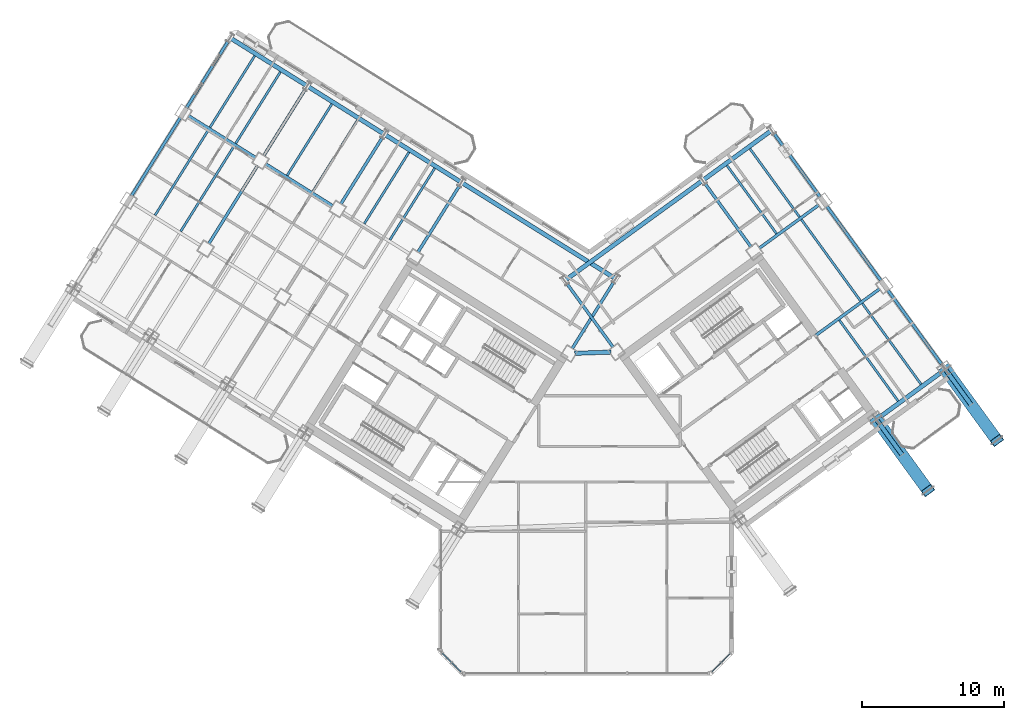
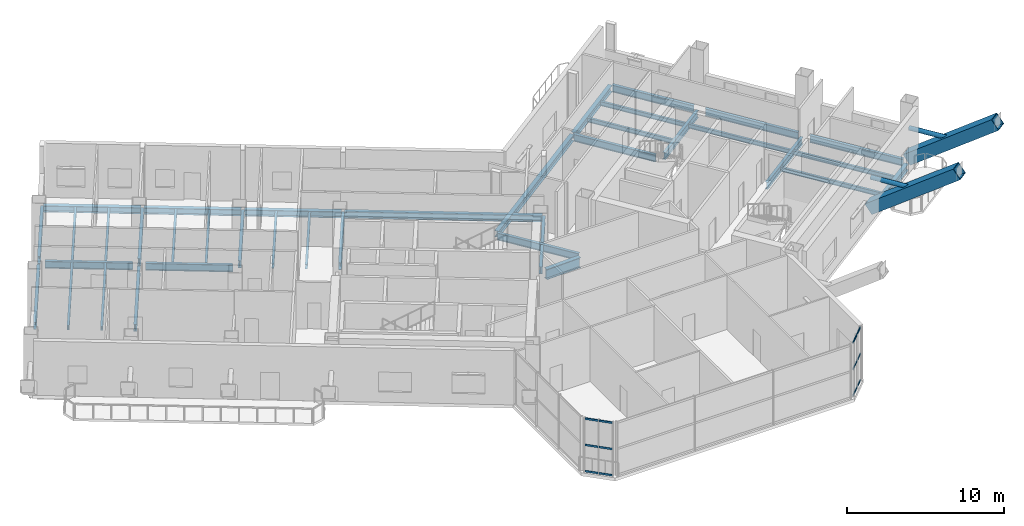
# One storey, part 11 of 32: 37 beams, 16 members, 2 elements without a shape of their own.
"""IFC4 building model written with IfcOpenShell, lengths in metres."""

from ifc_helpers import new_model, si_unit, direction, frame, origin, origin_2d, place, context, subcontext, project, spatial, hollow_rectangle, hollow_circle, i_section, extrude, source, transform, mapped, material, material_profile, profile_set, type_object, element, aggregate, save


model = new_model("IFC4")

# Units and contexts
model_context = context("Model", 3, precision=1e-05, world=origin(), true_north=direction((0.0, 1.0)))
body_context = subcontext(model_context, "Body", "Model", "MODEL_VIEW")
ifc_project = project(units=[si_unit("LENGTHUNIT", "METRE"), si_unit("AREAUNIT", "SQUARE_METRE"), si_unit("VOLUMEUNIT", "CUBIC_METRE"), si_unit("PLANEANGLEUNIT", "RADIAN"), si_unit("MASSUNIT", "GRAM", prefix="KILO")], contexts=[model_context])

# Site, building, storey
site_placement = place(None, origin())
site = spatial("IfcSite", under=ifc_project, at=site_placement, CompositionType="ELEMENT")
building_placement = place(site_placement, origin())
building = spatial("IfcBuilding", under=site, at=building_placement, Name="Tlacorven Tower", CompositionType="ELEMENT")
storey_placement = place(building_placement, frame((0.0, 0.0, 123.300048828125)))
storey = spatial("IfcBuildingStorey", under=building, at=storey_placement, Name="L31", CompositionType="ELEMENT", Elevation=123.300048828125)

# Beams
ifc_material_1 = material(Name="Steel S355J2", Category="steel")
ifc_material_profile_1 = material_profile(ifc_material_1, i_section(OverallWidth=0.300048828125, OverallDepth=0.489990234375, WebThickness=0.011962890625, FlangeThickness=0.02294921875, at=origin_2d()), Name="HEA 500")
ifc_profile_set_1 = profile_set([ifc_material_profile_1], Name="Steel S355J2")
beam_type_1 = type_object("IfcBeamType", Name="BM-SPN-500", PredefinedType="SPANDREL", material=ifc_profile_set_1)
shared_shape_1 = source(origin(), body_context, "Body", "SweptSolid", [
    extrude(i_section(OverallWidth=0.300048828125, OverallDepth=0.489990234375, WebThickness=0.011962890625, FlangeThickness=0.02294921875, at=origin_2d()), origin(), (0.0, 0.0, 1.0), 12.599853515625),
])
beam_1_placement = place(storey_placement, frame((43.983642578125, 29.779296875, -0.4951171875), z_axis=(-0.848045108756, 0.529924045043, 0.0), x_axis=(-0.529924045043, -0.848045108756, 0.0)))
element("IfcBeam", 1, at=beam_1_placement, inside=storey, type_object=beam_type_1, Name="L31 beam BM-L31-WL1-1", PredefinedType="SPANDREL", context=body_context, shape_type="MappedRepresentation", body=[
    mapped(shared_shape_1, transform((0.0, 0.0, 0.0), scale=1.0)),
])
shared_shape_2 = source(origin(), body_context, "Body", "SweptSolid", [
    extrude(i_section(OverallWidth=0.300048828125, OverallDepth=0.489990234375, WebThickness=0.011962890625, FlangeThickness=0.02294921875, at=origin_2d()), origin(), (0.0, 0.0, 1.0), 6.199951171875),
])
beam_2_placement = place(storey_placement, frame((33.128662109375, 36.562255859375, -0.4951171875), z_axis=(-0.848051394107, 0.529913986372, 0.0), x_axis=(-0.529913986372, -0.848051394107, 0.0)))
element("IfcBeam", 2, at=beam_2_placement, inside=storey, type_object=beam_type_1, Name="L31 beam BM-L31-WL1-3", PredefinedType="SPANDREL", context=body_context, shape_type="MappedRepresentation", body=[
    mapped(shared_shape_2, transform((0.0, 0.0, 0.0), scale=1.0)),
])
shared_shape_3 = source(origin(), body_context, "Body", "SweptSolid", [
    extrude(i_section(OverallWidth=0.300048828125, OverallDepth=0.489990234375, WebThickness=0.011962890625, FlangeThickness=0.02294921875, at=origin_2d()), origin(), (0.0, 0.0, 1.0), 11.800048828125),
])
beam_3_placement = place(storey_placement, frame((40.560302734375, 29.65966796875, -0.4951171875), z_axis=(0.80900977213, 0.587795192732, 0.0), x_axis=(-0.587795192732, 0.80900977213, 0.0)))
element("IfcBeam", 3, at=beam_3_placement, inside=storey, type_object=beam_type_1, Name="L31 beam BM-L31-EL4-1", PredefinedType="SPANDREL", context=body_context, shape_type="MappedRepresentation", body=[
    mapped(shared_shape_3, transform((0.0, 0.0, 0.0), scale=1.0)),
])
shared_shape_4 = source(origin(), body_context, "Body", "SweptSolid", [
    extrude(i_section(OverallWidth=0.300048828125, OverallDepth=0.489990234375, WebThickness=0.011962890625, FlangeThickness=0.02294921875, at=origin_2d()), origin(), (0.0, 0.0, 1.0), 5.800048828125),
])
beam_4_placement = place(storey_placement, frame((50.2685546875, 36.713134765625, -0.4951171875), z_axis=(0.809019944521, 0.587781191743, 0.0), x_axis=(-0.587781191743, 0.809019944521, 0.0)))
element("IfcBeam", 4, at=beam_4_placement, inside=storey, type_object=beam_type_1, Name="L31 beam BM-L31-EL4-3", PredefinedType="SPANDREL", context=body_context, shape_type="MappedRepresentation", body=[
    mapped(shared_shape_4, transform((0.0, 0.0, 0.0), scale=1.0)),
])

# Members
ifc_material_2 = material(Name="Steel S460M", Category="steel")
ifc_material_profile_2 = material_profile(ifc_material_2, hollow_rectangle(XDim=0.85009765625, YDim=0.85009765625, WallThickness=0.0400390625, at=origin_2d()), Name="BOX 850X850X40")
ifc_profile_set_2 = profile_set([ifc_material_profile_2], Name="Steel S460M")
member_type_1 = type_object("IfcMemberType", Name="MB-RAK-EXT", PredefinedType="STRUT", material=ifc_profile_set_2)
shared_shape_5 = source(origin(), body_context, "Body", "SweptSolid", [
    extrude(hollow_rectangle(XDim=0.85009765625, YDim=0.85009765625, WallThickness=0.0400390625, at=origin_2d()), origin(), (0.0, 0.0, 1.0), 7.62109375),
])
member_1_placement = place(storey_placement, frame((62.423095703125, 19.813720703125, 0.01171875), z_axis=(0.475691676108, -0.654736782025, 0.587398651297), x_axis=(0.809018428472, 0.587783278422, 0.0)))
element("IfcMember", 5, at=member_1_placement, inside=storey, type_object=member_type_1, Name="L31 Block-Shift Raking Transfer Strut E3", PredefinedType="STRUT", context=body_context, shape_type="MappedRepresentation", body=[
    mapped(shared_shape_5, transform((0.0, 0.0, 0.0), scale=1.0)),
])
ifc_material_profile_3 = material_profile(ifc_material_2, hollow_circle(Radius=0.161865234375, WallThickness=0.01611328125, at=origin_2d()), Name="CHS 323.9X16")
ifc_profile_set_3 = profile_set([ifc_material_profile_3], Name="Steel S460M")
member_type_2 = type_object("IfcMemberType", Name="MB-SHF-BRC", PredefinedType="BRACE", material=ifc_profile_set_3)
shared_shape_6 = source(origin(), body_context, "Body", "SweptSolid", [
    extrude(hollow_circle(Radius=0.161865234375, WallThickness=0.01611328125, at=origin_2d()), origin(), (0.0, 0.0, 1.0), 3.06005859375),
])
for number, where, z_axis, x_axis, name in (
    (6, (62.42529296875, 19.810546875, 2.25), (0.587777877013, -0.809022352778, 0.0), (0.809022352778, 0.587777877013, 0.0), "L31 Raking Strut Stabilising Web Brace E3"),
    (7, (67.279541015625, 23.33740234375, 2.25), (0.587777877013, -0.809022352778, 0.0), (0.809022352778, 0.587777877013, 0.0), "L31 Raking Strut Stabilising Web Brace E4"),
):
    element("IfcMember", number, at=place(storey_placement, frame(where, z_axis=z_axis, x_axis=x_axis)), inside=storey, type_object=member_type_2, Name=name, PredefinedType="BRACE", context=body_context, shape_type="MappedRepresentation", body=[
        mapped(shared_shape_6, transform((0.0, 0.0, 0.0), scale=1.0)),
    ])

# Beams
shared_shape_7 = source(origin(), body_context, "Body", "SweptSolid", [
    extrude(i_section(OverallWidth=0.300048828125, OverallDepth=0.489990234375, WebThickness=0.011962890625, FlangeThickness=0.02294921875, at=origin_2d()), origin(), (0.0, 0.0, 1.0), 6.2001953125),
])
for number, where, z_axis, x_axis, name in (
    (8, (27.701171875, 39.95361328125, -0.4951171875), (-0.84804475579, 0.5299246099, 0.0), (-0.5299246099, -0.84804475579, 0.0), "L31 beam BM-L31-WL1-4"),
    (9, (22.273681640625, 43.34521484375, -0.4951171875), (-0.848062451332, 0.529896290457, 0.0), (-0.529896290457, -0.848062451332, 0.0), "L31 beam BM-L31-WL1-5"),
):
    element("IfcBeam", number, at=place(storey_placement, frame(where, z_axis=z_axis, x_axis=x_axis)), inside=storey, type_object=beam_type_1, Name=name, PredefinedType="SPANDREL", context=body_context, shape_type="MappedRepresentation", body=[
        mapped(shared_shape_7, transform((0.0, 0.0, 0.0), scale=1.0)),
    ])
ifc_material_profile_4 = material_profile(ifc_material_1, i_section(OverallWidth=0.2099609375, OverallDepth=0.550048828125, WebThickness=0.010986328125, FlangeThickness=0.01708984375, at=origin_2d()), Name="IPE 550")
ifc_profile_set_4 = profile_set([ifc_material_profile_4], Name="Steel S355J2")
beam_type_2 = type_object("IfcBeamType", Name="BM-TWR-550", PredefinedType="BEAM", material=ifc_profile_set_4)
shared_shape_8 = source(origin(), body_context, "Body", "SweptSolid", [
    extrude(i_section(OverallWidth=0.2099609375, OverallDepth=0.550048828125, WebThickness=0.010986328125, FlangeThickness=0.01708984375, at=origin_2d()), origin(), (0.0, 0.0, 1.0), 5.599853515625),
])
for number, where, z_axis, x_axis, name in (
    (10, (24.1611328125, 34.854736328125, -0.525146484375), (-0.848047285686, 0.529920561254, 0.0), (-0.529920561254, -0.848047285686, 0.0), "L31 beam BM-L31-WL2-4"),
    (11, (18.733642578125, 38.246337890625, -0.525146484375), (-0.848047285686, 0.529920561254, 0.0), (-0.529920561254, -0.848047285686, 0.0), "L31 beam BM-L31-WL2-5"),
):
    element("IfcBeam", number, at=place(storey_placement, frame(where, z_axis=z_axis, x_axis=x_axis)), inside=storey, type_object=beam_type_2, Name=name, PredefinedType="BEAM", context=body_context, shape_type="MappedRepresentation", body=[
        mapped(shared_shape_8, transform((0.0, 0.0, 0.0), scale=1.0)),
    ])
shared_shape_9 = source(origin(), body_context, "Body", "SweptSolid", [
    extrude(i_section(OverallWidth=0.2099609375, OverallDepth=0.550048828125, WebThickness=0.010986328125, FlangeThickness=0.01708984375, at=origin_2d()), origin(), (0.0, 0.0, 1.0), 5.7001953125),
])
for number, where, z_axis, x_axis, name in (
    (12, (44.015380859375, 29.6416015625, -0.525146484375), (-0.529906537151, -0.848056048787, 0.0), (0.848056048787, -0.529906537151, 0.0), "L31 beam BM-L31-WT1-1"),
    (13, (33.160400390625, 36.424560546875, -0.525146484375), (-0.529906537151, -0.848056048787, 0.0), (0.848056048787, -0.529906537151, 0.0), "L31 beam BM-L31-WT3-1"),
    (14, (22.305419921875, 43.20751953125, -0.525146484375), (-0.529906537151, -0.848056048787, 0.0), (0.848056048787, -0.529906537151, 0.0), "L31 beam BM-L31-WT5-1"),
):
    element("IfcBeam", number, at=place(storey_placement, frame(where, z_axis=z_axis, x_axis=x_axis)), inside=storey, type_object=beam_type_2, Name=name, PredefinedType="BEAM", context=body_context, shape_type="MappedRepresentation", body=[
        mapped(shared_shape_9, transform((0.0, 0.0, 0.0), scale=1.0)),
    ])
shared_shape_10 = source(origin(), body_context, "Body", "SweptSolid", [
    extrude(i_section(OverallWidth=0.2099609375, OverallDepth=0.550048828125, WebThickness=0.010986328125, FlangeThickness=0.01708984375, at=origin_2d()), origin(), (0.0, 0.0, 1.0), 5.699951171875),
])
for number, where, z_axis, x_axis, name in (
    (15, (27.73291015625, 39.81591796875, -0.525146484375), (-0.529925785607, -0.848044021115, 0.0), (0.848044021115, -0.529925785607, 0.0), "L31 beam BM-L31-WT4-1"),
    (16, (16.8779296875, 46.598876953125, -0.525146484375), (-0.529925785607, -0.848044021115, 0.0), (0.848044021115, -0.529925785607, 0.0), "L31 beam BM-L31-WT6-1"),
    (17, (43.888671875, 24.90869140625, -0.525146484375), (-0.587787066966, 0.809015675935, 0.0), (-0.809015675935, -0.587787066966, 0.0), "L31 beam BM-L31-ET1-2"),
    (18, (53.596923828125, 31.962158203125, -0.525146484375), (-0.587787066966, 0.809015675935, 0.0), (-0.809015675935, -0.587787066966, 0.0), "L31 beam BM-L31-ET3-2"),
    (19, (58.450927734375, 35.48876953125, -0.525146484375), (-0.587787066966, 0.809015675935, 0.0), (-0.809015675935, -0.587787066966, 0.0), "L31 beam BM-L31-ET4-3"),
):
    element("IfcBeam", number, at=place(storey_placement, frame(where, z_axis=z_axis, x_axis=x_axis)), inside=storey, type_object=beam_type_2, Name=name, PredefinedType="BEAM", context=body_context, shape_type="MappedRepresentation", body=[
        mapped(shared_shape_10, transform((0.0, 0.0, 0.0), scale=1.0)),
    ])
shared_shape_11 = source(origin(), body_context, "Body", "SweptSolid", [
    extrude(i_section(OverallWidth=0.2099609375, OverallDepth=0.550048828125, WebThickness=0.010986328125, FlangeThickness=0.01708984375, at=origin_2d()), origin(), (0.0, 0.0, 1.0), 6.5),
])
for number, where, z_axis, x_axis, name in (
    (20, (13.433349609375, 41.086669921875, -0.525146484375), (-0.529894274829, -0.848063710757, 0.0), (0.848063710757, -0.529894274829, 0.0), "L31 beam BM-L31-WT6-2"),
    (21, (67.03271484375, 23.67724609375, -0.525146484375), (-0.587809847215, 0.808999124547, 0.0), (-0.808999124547, -0.587809847215, 0.0), "L31 beam BM-L31-ET4-1"),
    (22, (62.74169921875, 29.5830078125, -0.525146484375), (-0.587785264321, 0.809016985636, 0.0), (-0.809016985636, -0.587785264321, 0.0), "L31 beam BM-L31-ET4-2"),
):
    element("IfcBeam", number, at=place(storey_placement, frame(where, z_axis=z_axis, x_axis=x_axis)), inside=storey, type_object=beam_type_2, Name=name, PredefinedType="BEAM", context=body_context, shape_type="MappedRepresentation", body=[
        mapped(shared_shape_11, transform((0.0, 0.0, 0.0), scale=1.0)),
    ])
shared_shape_12 = source(origin(), body_context, "Body", "SweptSolid", [
    extrude(i_section(OverallWidth=0.2099609375, OverallDepth=0.550048828125, WebThickness=0.010986328125, FlangeThickness=0.01708984375, at=origin_2d()), origin(), (0.0, 0.0, 1.0), 6.499755859375),
])
beam_5_placement = place(storey_placement, frame((18.86083984375, 37.695068359375, -0.525146484375), z_axis=(-0.529911154058, -0.848053163902, 0.0), x_axis=(0.848053163902, -0.529911154058, 0.0)))
element("IfcBeam", 23, at=beam_5_placement, inside=storey, type_object=beam_type_2, Name="L31 beam BM-L31-WT5-2", PredefinedType="BEAM", context=body_context, shape_type="MappedRepresentation", body=[
    mapped(shared_shape_12, transform((0.0, 0.0, 0.0), scale=1.0)),
])
shared_shape_13 = source(origin(), body_context, "Body", "SweptSolid", [
    extrude(i_section(OverallWidth=0.300048828125, OverallDepth=0.489990234375, WebThickness=0.011962890625, FlangeThickness=0.02294921875, at=origin_2d()), origin(), (0.0, 0.0, 1.0), 5.199951171875),
])
beam_6_placement = place(storey_placement, frame((62.7373046875, 20.06201171875, -0.4951171875), z_axis=(0.809018206713, 0.587783583648, 0.0), x_axis=(-0.587783583648, 0.809018206713, 0.0)))
element("IfcBeam", 24, at=beam_6_placement, inside=storey, type_object=beam_type_1, Name="L31 beam BM-L31-EL1-3", PredefinedType="SPANDREL", context=body_context, shape_type="MappedRepresentation", body=[
    mapped(shared_shape_13, transform((0.0, 0.0, 0.0), scale=1.0)),
])
shared_shape_14 = source(origin(), body_context, "Body", "SweptSolid", [
    extrude(i_section(OverallWidth=0.2099609375, OverallDepth=0.550048828125, WebThickness=0.010986328125, FlangeThickness=0.01708984375, at=origin_2d()), origin(), (0.0, 0.0, 1.0), 5.56005859375),
])
beam_7_placement = place(storey_placement, frame((58.155029296875, 25.756103515625, -0.525146484375), z_axis=(0.809028396397, 0.587769558435, 0.0), x_axis=(-0.587769558435, 0.809028396397, 0.0)))
element("IfcBeam", 25, at=beam_7_placement, inside=storey, type_object=beam_type_2, Name="L31 beam BM-L31-EL2-3", PredefinedType="BEAM", context=body_context, shape_type="MappedRepresentation", body=[
    mapped(shared_shape_14, transform((0.0, 0.0, 0.0), scale=1.0)),
])
shared_shape_15 = source(origin(), body_context, "Body", "SweptSolid", [
    extrude(i_section(OverallWidth=0.2099609375, OverallDepth=0.550048828125, WebThickness=0.010986328125, FlangeThickness=0.01708984375, at=origin_2d()), origin(), (0.0, 0.0, 1.0), 5.2001953125),
])
beam_8_placement = place(storey_placement, frame((54.155517578125, 31.87353515625, -0.525146484375), z_axis=(0.80901210161, 0.587791986546, 0.0), x_axis=(-0.587791986546, 0.80901210161, 0.0)))
element("IfcBeam", 26, at=beam_8_placement, inside=storey, type_object=beam_type_2, Name="L31 beam BM-L31-EL3-3", PredefinedType="BEAM", context=body_context, shape_type="MappedRepresentation", body=[
    mapped(shared_shape_15, transform((0.0, 0.0, 0.0), scale=1.0)),
])
ifc_material_profile_5 = material_profile(ifc_material_1, i_section(OverallWidth=0.300048828125, OverallDepth=0.800048828125, WebThickness=0.017578125, FlangeThickness=0.032958984375, at=origin_2d()), Name="HEB 800")
ifc_profile_set_5 = profile_set([ifc_material_profile_5], Name="Steel S355J2")
beam_type_3 = type_object("IfcBeamType", Name="BM-POD-800", PredefinedType="BEAM", material=ifc_profile_set_5)
shared_shape_16 = source(origin(), body_context, "Body", "SweptSolid", [
    extrude(i_section(OverallWidth=0.300048828125, OverallDepth=0.800048828125, WebThickness=0.017578125, FlangeThickness=0.032958984375, at=origin_2d()), origin(), (0.0, 0.0, 1.0), 2.542724609375),
])
beam_9_placement = place(storey_placement, frame((41.1826171875, 24.482421875, -0.650146484375), z_axis=(0.999392467766, 0.034852480142, 0.0), x_axis=(-0.034852480142, 0.999392467766, 0.0)))
element("IfcBeam", 27, at=beam_9_placement, inside=storey, type_object=beam_type_3, Name="L31 Knuckle Link Girder 1", PredefinedType="BEAM", context=body_context, shape_type="MappedRepresentation", body=[
    mapped(shared_shape_16, transform((0.0, 0.0, 0.0), scale=1.0)),
])
ifc_material_profile_6 = material_profile(ifc_material_1, i_section(OverallWidth=0.159912109375, OverallDepth=0.330078125, WebThickness=0.007568359375, FlangeThickness=0.011474609375, at=origin_2d()), Name="IPE 330")
ifc_profile_set_6 = profile_set([ifc_material_profile_6], Name="Steel S355J2")
beam_type_4 = type_object("IfcBeamType", Name="BM-JST-330", PredefinedType="JOIST", material=ifc_profile_set_6)
shared_shape_17 = source(origin(), body_context, "Body", "SweptSolid", [
    extrude(i_section(OverallWidth=0.159912109375, OverallDepth=0.330078125, WebThickness=0.007568359375, FlangeThickness=0.011474609375, at=origin_2d()), origin(), (0.0, 0.0, 1.0), 5.93505859375),
])
for number, where, z_axis, x_axis, name in (
    (28, (31.322265625, 37.50830078125, -0.4150390625), (-0.529939778535, -0.848035277053, 0.0), (0.848035277053, -0.529939778535, 0.0), "L31 beam BM-L31-WJ3-1-1"),
    (29, (29.512939453125, 38.638916015625, -0.4150390625), (-0.529910194899, -0.848053763238, 0.0), (0.848053763238, -0.529910194899, 0.0), "L31 beam BM-L31-WJ3-1-2"),
    (30, (24.08544921875, 42.0302734375, -0.4150390625), (-0.529910194899, -0.848053763238, 0.0), (0.848053763238, -0.529910194899, 0.0), "L31 beam BM-L31-WJ4-1-2"),
    (31, (20.467041015625, 44.291259765625, -0.4150390625), (-0.529910194899, -0.848053763238, 0.0), (0.848053763238, -0.529910194899, 0.0), "L31 beam BM-L31-WJ5-1-1"),
    (32, (18.657958984375, 45.421875, -0.4150390625), (-0.529910194899, -0.848053763238, 0.0), (0.848053763238, -0.529910194899, 0.0), "L31 beam BM-L31-WJ5-1-2"),
    (33, (55.38525390625, 32.903076171875, -0.4150390625), (-0.58778762431, 0.809015270998, 0.0), (-0.809015270998, -0.58778762431, 0.0), "L31 beam BM-L31-EJ3-3-1"),
    (34, (57.00341796875, 34.07861328125, -0.4150390625), (-0.58778762431, 0.809015270998, 0.0), (-0.809015270998, -0.58778762431, 0.0), "L31 beam BM-L31-EJ3-3-2"),
):
    element("IfcBeam", number, at=place(storey_placement, frame(where, z_axis=z_axis, x_axis=x_axis)), inside=storey, type_object=beam_type_4, Name=name, PredefinedType="JOIST", context=body_context, shape_type="MappedRepresentation", body=[
        mapped(shared_shape_17, transform((0.0, 0.0, 0.0), scale=1.0)),
    ])
shared_shape_18 = source(origin(), body_context, "Body", "SweptSolid", [
    extrude(i_section(OverallWidth=0.159912109375, OverallDepth=0.330078125, WebThickness=0.007568359375, FlangeThickness=0.011474609375, at=origin_2d()), origin(), (0.0, 0.0, 1.0), 7.080078125),
])
for number, where, z_axis, x_axis, name in (
    (35, (17.20556640625, 39.071533203125, -0.4150390625), (-0.529933847046, -0.848038983629, 0.0), (0.848038983629, -0.529933847046, 0.0), "L31 beam BM-L31-WJ5-2-1"),
    (36, (15.396240234375, 40.2021484375, -0.4150390625), (-0.529893550998, -0.848064163027, 0.0), (0.848064163027, -0.529893550998, 0.0), "L31 beam BM-L31-WJ5-2-2"),
    (37, (61.294189453125, 28.1728515625, -0.4150390625), (-0.587798472288, 0.809007389321, 0.0), (-0.809007389321, -0.587798472288, 0.0), "L31 beam BM-L31-EJ3-2-2"),
):
    element("IfcBeam", number, at=place(storey_placement, frame(where, z_axis=z_axis, x_axis=x_axis)), inside=storey, type_object=beam_type_4, Name=name, PredefinedType="JOIST", context=body_context, shape_type="MappedRepresentation", body=[
        mapped(shared_shape_18, transform((0.0, 0.0, 0.0), scale=1.0)),
    ])
shared_shape_19 = source(origin(), body_context, "Body", "SweptSolid", [
    extrude(i_section(OverallWidth=0.159912109375, OverallDepth=0.330078125, WebThickness=0.007568359375, FlangeThickness=0.011474609375, at=origin_2d()), origin(), (0.0, 0.0, 1.0), 7.03515625),
])
beam_10_placement = place(storey_placement, frame((63.9404296875, 21.127685546875, -0.4150390625), z_axis=(-0.58776512903, 0.809031614399, 0.0), x_axis=(-0.809031614399, -0.58776512903, 0.0)))
element("IfcBeam", 38, at=beam_10_placement, inside=storey, type_object=beam_type_4, Name="L31 beam BM-L31-EJ3-1-1", PredefinedType="JOIST", context=body_context, shape_type="MappedRepresentation", body=[
    mapped(shared_shape_19, transform((0.0, 0.0, 0.0), scale=1.0)),
])
shared_shape_20 = source(origin(), body_context, "Body", "SweptSolid", [
    extrude(i_section(OverallWidth=0.159912109375, OverallDepth=0.330078125, WebThickness=0.007568359375, FlangeThickness=0.011474609375, at=origin_2d()), origin(), (0.0, 0.0, 1.0), 5.934814453125),
])
beam_11_placement = place(storey_placement, frame((25.894775390625, 40.899658203125, -0.4150390625), z_axis=(-0.529958265352, -0.848023724306, 0.0), x_axis=(0.848023724306, -0.529958265352, 0.0)))
element("IfcBeam", 39, at=beam_11_placement, inside=storey, type_object=beam_type_4, Name="L31 beam BM-L31-WJ4-1-1", PredefinedType="JOIST", context=body_context, shape_type="MappedRepresentation", body=[
    mapped(shared_shape_20, transform((0.0, 0.0, 0.0), scale=1.0)),
])
shared_shape_21 = source(origin(), body_context, "Body", "SweptSolid", [
    extrude(i_section(OverallWidth=0.159912109375, OverallDepth=0.330078125, WebThickness=0.007568359375, FlangeThickness=0.011474609375, at=origin_2d()), origin(), (0.0, 0.0, 1.0), 7.034912109375),
])
beam_12_placement = place(storey_placement, frame((65.55859375, 22.303466796875, -0.4150390625), z_axis=(-0.587781631373, 0.809019625115, 0.0), x_axis=(-0.809019625115, -0.587781631373, 0.0)))
element("IfcBeam", 40, at=beam_12_placement, inside=storey, type_object=beam_type_4, Name="L31 beam BM-L31-EJ3-1-2", PredefinedType="JOIST", context=body_context, shape_type="MappedRepresentation", body=[
    mapped(shared_shape_21, transform((0.0, 0.0, 0.0), scale=1.0)),
])

# Member
shared_shape_22 = source(origin(), body_context, "Body", "SweptSolid", [
    extrude(hollow_rectangle(XDim=0.85009765625, YDim=0.85009765625, WallThickness=0.0400390625, at=origin_2d()), origin(), (0.0, 0.0, 1.0), 7.620849609375),
])
member_2_placement = place(storey_placement, frame((67.27734375, 23.34033203125, 0.01171875), z_axis=(0.475701653652, -0.654718479069, 0.587410971875), x_axis=(0.809004751961, 0.587802102161, 0.0)))
element("IfcMember", 41, at=member_2_placement, inside=storey, type_object=member_type_1, Name="L31 Block-Shift Raking Transfer Strut E4", PredefinedType="STRUT", context=body_context, shape_type="MappedRepresentation", body=[
    mapped(shared_shape_22, transform((0.0, 0.0, 0.0), scale=1.0)),
])

# Curtain wall, members
ifc_material_3 = material(Name="Dark solar low-E double glazing in aluminium frame", Category="aluminium")
curtain_wall_type = type_object("IfcCurtainWallType", Name="CW-TWR-MID", PredefinedType="USERDEFINED", material=ifc_material_3)
curtain_wall_1_placement = place(storey_placement, origin())
curtain_wall_1 = element("IfcCurtainWall", 42, at=curtain_wall_1_placement, inside=storey, type_object=curtain_wall_type, Name="L31 CW-TWR-MID Curtain Wall 151", ObjectType="UNITISED CURTAIN WALL", PredefinedType="USERDEFINED")
ifc_material_4 = material(Name="Aluminium 6063-T6 anodised", Category="aluminium")
ifc_material_profile_7 = material_profile(ifc_material_4, hollow_rectangle(XDim=0.06005859375, YDim=0.139892578125, WallThickness=0.00390625, at=origin_2d()), Name="ALU TRANSOM 60X140")
ifc_profile_set_7 = profile_set([ifc_material_profile_7], Name="Aluminium 6063-T6 anodised")
member_type_3 = type_object("IfcMemberType", Name="CWT-02", PredefinedType="USERDEFINED", material=ifc_profile_set_7)
shared_shape_23 = source(origin(), body_context, "Body", "SweptSolid", [
    extrude(hollow_rectangle(XDim=0.06005859375, YDim=0.139892578125, WallThickness=0.00390625, at=origin_2d()), origin(), (0.0, 0.0, 1.0), 0.8916015625),
])
member_3_placement = place(storey_placement, frame((52.1318359375, 3.358154296875, 0.070068359375), z_axis=(-0.706969864397, -0.70724367147, 0.0), x_axis=(0.70724367147, -0.706969864397, 0.0)))
member_3 = element("IfcMember", 43, at=member_3_placement, type_object=member_type_3, Name="CW-L31-151 Transom 1", ObjectType="TRANSOM", PredefinedType="USERDEFINED", context=body_context, shape_type="MappedRepresentation", body=[
    mapped(shared_shape_23, transform((0.0, 0.0, 0.0), scale=1.0)),
])
member_4_placement = place(storey_placement, frame((52.1318359375, 3.358154296875, 2.10986328125), z_axis=(-0.706969864397, -0.70724367147, 0.0), x_axis=(0.70724367147, -0.706969864397, 0.0)))
member_4 = element("IfcMember", 44, at=member_4_placement, type_object=member_type_3, Name="CW-L31-151 Transom 2", ObjectType="TRANSOM", PredefinedType="USERDEFINED", context=body_context, shape_type="MappedRepresentation", body=[
    mapped(shared_shape_23, transform((0.0, 0.0, 0.0), scale=1.0)),
])
member_5_placement = place(storey_placement, frame((52.1318359375, 3.358154296875, 4.14990234375), z_axis=(-0.706969864397, -0.70724367147, 0.0), x_axis=(0.70724367147, -0.706969864397, 0.0)))
member_5 = element("IfcMember", 45, at=member_5_placement, type_object=member_type_3, Name="CW-L31-151 Transom 3", ObjectType="TRANSOM", PredefinedType="USERDEFINED", context=body_context, shape_type="MappedRepresentation", body=[
    mapped(shared_shape_23, transform((0.0, 0.0, 0.0), scale=1.0)),
])

curtain_wall_2_placement = place(storey_placement, origin())
curtain_wall_2 = element("IfcCurtainWall", 46, at=curtain_wall_2_placement, inside=storey, type_object=curtain_wall_type, Name="L31 CW-TWR-MID Curtain Wall 153", ObjectType="UNITISED CURTAIN WALL", PredefinedType="USERDEFINED")
member_6_placement = place(storey_placement, frame((32.49853515625, 2.7275390625, 0.070068359375), z_axis=(-0.706969864397, 0.70724367147, 0.0), x_axis=(-0.70724367147, -0.706969864397, 0.0)))
member_6 = element("IfcMember", 47, at=member_6_placement, type_object=member_type_3, Name="CW-L31-153 Transom 4", ObjectType="TRANSOM", PredefinedType="USERDEFINED", context=body_context, shape_type="MappedRepresentation", body=[
    mapped(shared_shape_23, transform((0.0, 0.0, 0.0), scale=1.0)),
])
member_7_placement = place(storey_placement, frame((32.49853515625, 2.7275390625, 2.10986328125), z_axis=(-0.706969864397, 0.70724367147, 0.0), x_axis=(-0.70724367147, -0.706969864397, 0.0)))
member_7 = element("IfcMember", 48, at=member_7_placement, type_object=member_type_3, Name="CW-L31-153 Transom 5", ObjectType="TRANSOM", PredefinedType="USERDEFINED", context=body_context, shape_type="MappedRepresentation", body=[
    mapped(shared_shape_23, transform((0.0, 0.0, 0.0), scale=1.0)),
])
member_8_placement = place(storey_placement, frame((32.49853515625, 2.7275390625, 4.14990234375), z_axis=(-0.706969864397, 0.70724367147, 0.0), x_axis=(-0.70724367147, -0.706969864397, 0.0)))
member_8 = element("IfcMember", 49, at=member_8_placement, type_object=member_type_3, Name="CW-L31-153 Transom 6", ObjectType="TRANSOM", PredefinedType="USERDEFINED", context=body_context, shape_type="MappedRepresentation", body=[
    mapped(shared_shape_23, transform((0.0, 0.0, 0.0), scale=1.0)),
])

# Member
shared_shape_24 = source(origin(), body_context, "Body", "SweptSolid", [
    extrude(hollow_rectangle(XDim=0.06005859375, YDim=0.139892578125, WallThickness=0.00390625, at=origin_2d()), origin(), (0.0, 0.0, 1.0), 0.891845703125),
])
member_9_placement = place(storey_placement, frame((51.472412109375, 2.69873046875, 0.070068359375), z_axis=(-0.707106781187, -0.707106781187, 0.0), x_axis=(0.707106781187, -0.707106781187, 0.0)))
member_9 = element("IfcMember", 50, at=member_9_placement, type_object=member_type_3, Name="CW-L31-151 Transom 4", ObjectType="TRANSOM", PredefinedType="USERDEFINED", context=body_context, shape_type="MappedRepresentation", body=[
    mapped(shared_shape_24, transform((0.0, 0.0, 0.0), scale=1.0)),
])

member_10_placement = place(storey_placement, frame((51.472412109375, 2.69873046875, 2.10986328125), z_axis=(-0.707106781187, -0.707106781187, 0.0), x_axis=(0.707106781187, -0.707106781187, 0.0)))
member_10 = element("IfcMember", 51, at=member_10_placement, type_object=member_type_3, Name="CW-L31-151 Transom 5", ObjectType="TRANSOM", PredefinedType="USERDEFINED", context=body_context, shape_type="MappedRepresentation", body=[
    mapped(shared_shape_24, transform((0.0, 0.0, 0.0), scale=1.0)),
])

member_11_placement = place(storey_placement, frame((51.472412109375, 2.69873046875, 4.14990234375), z_axis=(-0.707106781187, -0.707106781187, 0.0), x_axis=(0.707106781187, -0.707106781187, 0.0)))
member_11 = element("IfcMember", 52, at=member_11_placement, type_object=member_type_3, Name="CW-L31-151 Transom 6", ObjectType="TRANSOM", PredefinedType="USERDEFINED", context=body_context, shape_type="MappedRepresentation", body=[
    mapped(shared_shape_24, transform((0.0, 0.0, 0.0), scale=1.0)),
])

aggregate(curtain_wall_1, [member_3, member_4, member_5, member_9, member_10, member_11])

member_12_placement = place(storey_placement, frame((33.158203125, 2.068115234375, 0.070068359375), z_axis=(-0.707106781187, 0.707106781187, 0.0), x_axis=(-0.707106781187, -0.707106781187, 0.0)))
member_12 = element("IfcMember", 53, at=member_12_placement, type_object=member_type_3, Name="CW-L31-153 Transom 1", ObjectType="TRANSOM", PredefinedType="USERDEFINED", context=body_context, shape_type="MappedRepresentation", body=[
    mapped(shared_shape_24, transform((0.0, 0.0, 0.0), scale=1.0)),
])

member_13_placement = place(storey_placement, frame((33.158203125, 2.068115234375, 2.10986328125), z_axis=(-0.707106781187, 0.707106781187, 0.0), x_axis=(-0.707106781187, -0.707106781187, 0.0)))
member_13 = element("IfcMember", 54, at=member_13_placement, type_object=member_type_3, Name="CW-L31-153 Transom 2", ObjectType="TRANSOM", PredefinedType="USERDEFINED", context=body_context, shape_type="MappedRepresentation", body=[
    mapped(shared_shape_24, transform((0.0, 0.0, 0.0), scale=1.0)),
])

member_14_placement = place(storey_placement, frame((33.158203125, 2.068115234375, 4.14990234375), z_axis=(-0.707106781187, 0.707106781187, 0.0), x_axis=(-0.707106781187, -0.707106781187, 0.0)))
member_14 = element("IfcMember", 55, at=member_14_placement, type_object=member_type_3, Name="CW-L31-153 Transom 3", ObjectType="TRANSOM", PredefinedType="USERDEFINED", context=body_context, shape_type="MappedRepresentation", body=[
    mapped(shared_shape_24, transform((0.0, 0.0, 0.0), scale=1.0)),
])

aggregate(curtain_wall_2, [member_12, member_13, member_14, member_6, member_7, member_8])

save(model, "model.ifc")
